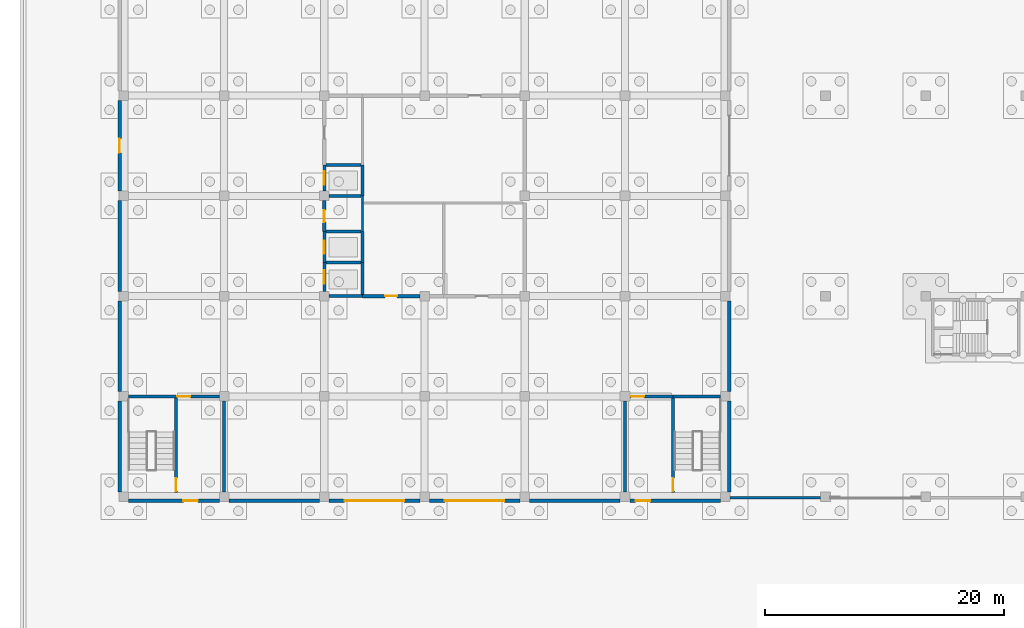
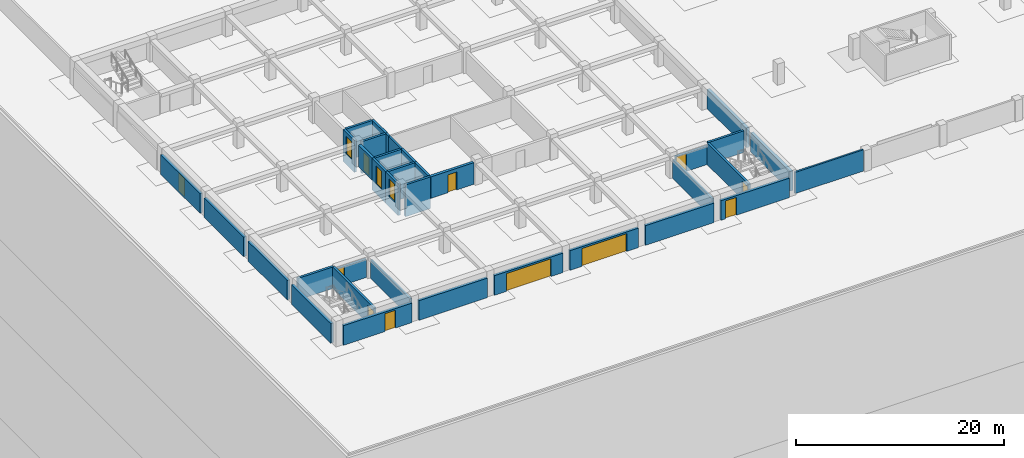
# One storey, part 34 of 67: 36 walls, 14 doors, 14 openings.
"""IFC4 building model written with IfcOpenShell, lengths in metres."""

from ifc_helpers import new_model, si_unit, direction, frame, frame_2d, origin, place, context, subcontext, project, spatial, rectangle, extrude, material, layer, layer_set, type_object, element, fill, save


model = new_model("IFC4")

# Units and contexts
model_context = context("Model", 3, precision=1e-05, world=origin(), true_north=direction((0.0, 1.0)))
body_context = subcontext(model_context, "Body", "Model", "MODEL_VIEW")
ifc_project = project(units=[si_unit("LENGTHUNIT", "METRE"), si_unit("AREAUNIT", "SQUARE_METRE"), si_unit("VOLUMEUNIT", "CUBIC_METRE"), si_unit("PLANEANGLEUNIT", "RADIAN"), si_unit("MASSUNIT", "GRAM", prefix="KILO")], contexts=[model_context])

# Site, building, storey
site_placement = place(None, origin())
site = spatial("IfcSite", under=ifc_project, at=site_placement, CompositionType="ELEMENT")
building_placement = place(site_placement, origin())
building = spatial("IfcBuilding", under=site, at=building_placement, Name="Rain Tree Exposition and Congress Centre", CompositionType="ELEMENT")
storey_placement = place(building_placement, frame((0.0, 0.0, -3.0)))
storey = spatial("IfcBuildingStorey", under=building, at=storey_placement, Name="B1", CompositionType="ELEMENT", Elevation=-3.0)

# Wall
ifc_material_1 = material(Name="Precast concrete C40/50", Category="concrete")
ifc_layer_1 = layer(ifc_material_1, 0.199951171875)
ifc_layer_set_1 = layer_set([ifc_layer_1], Name="Precast concrete C40/50")
wall_type_1 = type_object("IfcWallType", Name="Louvred precast panel 200", PredefinedType="SOLIDWALL", material=ifc_layer_set_1)
wall_1_placement = place(storey_placement, frame((50.800048828125, -0.10009765625, 0.0), z_axis=(0.0, 0.0, 1.0), x_axis=(1.0, 0.0, 0.0)))
element("IfcWall", 1, at=wall_1_placement, inside=storey, type_object=wall_type_1, Name="Car park louvre panel 1", PredefinedType="SOLIDWALL", context=body_context, shape_type="SweptSolid", body=[
    extrude(rectangle(XDim=7.599853515625, YDim=0.199951171875, at=frame_2d((3.7998046875, 0.0))), origin(), (0.0, 0.0, 1.0), 2.5),
])

# Wall, opening, door
ifc_material_2 = material(Name="Concrete C40/50", Category="concrete")
ifc_layer_2 = layer(ifc_material_2, 0.300048828125)
ifc_layer_set_2 = layer_set([ifc_layer_2], Name="Concrete C40/50")
wall_type_2 = type_object("IfcWallType", Name="Wing core wall 300", PredefinedType="SHEAR", material=ifc_layer_set_2)
wall_2_placement = place(storey_placement, frame((20.0, 16.800048828125, 0.0), z_axis=(0.0, 0.0, 1.0), x_axis=(1.0, 0.0, 0.0)))
wall_2 = element("IfcWall", 2, at=wall_2_placement, inside=storey, type_object=wall_type_2, Name="wing/wall/B1/006", PredefinedType="SHEAR", context=body_context, shape_type="SweptSolid", body=[
    extrude(rectangle(XDim=4.800048828125, YDim=0.300048828125, at=frame_2d((2.39990234375, 0.0))), origin(), (0.0, 0.0, 1.0), 2.5400390625),
])
opening_1_placement = place(wall_2_placement, frame((1.89990234375, 0.0, 0.0)))
opening_1 = element("IfcOpeningElement", 3, at=opening_1_placement, cuts=wall_2, Name="Opening DW014", PredefinedType="OPENING", context=body_context, shape_type="SweptSolid", body=[
    extrude(rectangle(XDim=1.0, YDim=2.10009765625, at=frame_2d((0.5, 1.050048828125))), frame((0.0, 0.14990234375, 0.0), z_axis=(0.0, -1.0, 0.0), x_axis=(1.0, 0.0, 0.0)), (0.0, 0.0, 1.0), 0.300048828125),
])
ifc_material_3 = material(Name="Timber door leaf", Category="wood")
door_type_1 = type_object("IfcDoorType", Name="Wing door FD60 1000x2100", OperationType="NOTDEFINED", PredefinedType="DOOR", material=ifc_material_3)
door_1_placement = place(opening_1_placement, origin())
door_1 = element("IfcDoor", 4, at=door_1_placement, inside=storey, type_object=door_type_1, Name="Door DW014", OperationType="SINGLE_SWING_LEFT", OverallHeight=2.10009765625, OverallWidth=1.0, PredefinedType="DOOR", context=body_context, shape_type="SweptSolid", body=[
    extrude(rectangle(XDim=1.0, YDim=2.10009765625, at=frame_2d((0.5, 1.050048828125))), frame((0.0, 0.02490234375, 0.0), z_axis=(0.0, -1.0, 0.0), x_axis=(1.0, 0.0, 0.0)), (0.0, 0.0, 1.0), 0.050048828125),
])
fill(opening_1, door_1)

wall_3_placement = place(storey_placement, frame((16.800048828125, 22.199951171875, 0.0), z_axis=(0.0, 0.0, 1.0), x_axis=(0.0, 1.0, 0.0)))
wall_3 = element("IfcWall", 5, at=wall_3_placement, inside=storey, type_object=wall_type_2, Name="wing/wall/B1/028", PredefinedType="SHEAR", context=body_context, shape_type="SweptSolid", body=[
    extrude(rectangle(XDim=2.60009765625, YDim=0.300048828125, at=frame_2d((1.300048828125, 0.0))), origin(), (0.0, 0.0, 1.0), 2.5400390625),
])
opening_2_placement = place(wall_3_placement, frame((0.800048828125, 0.0, 0.0)))
opening_2 = element("IfcOpeningElement", 6, at=opening_2_placement, cuts=wall_3, Name="Opening DW011", PredefinedType="OPENING", context=body_context, shape_type="SweptSolid", body=[
    extrude(rectangle(XDim=1.0, YDim=2.10009765625, at=frame_2d((0.5, 1.050048828125))), frame((0.0, 0.14990234375, 0.0), z_axis=(0.0, -1.0, 0.0), x_axis=(1.0, 0.0, 0.0)), (0.0, 0.0, 1.0), 0.300048828125),
])
ifc_material_4 = material(Name="Timber door leaf", Category="wood")
door_type_2 = type_object("IfcDoorType", Name="Wing riser access door FD60 1000x2100", OperationType="NOTDEFINED", PredefinedType="DOOR", material=ifc_material_4)
door_2_placement = place(opening_2_placement, origin())
door_2 = element("IfcDoor", 7, at=door_2_placement, inside=storey, type_object=door_type_2, Name="Riser access door DW011", OperationType="SINGLE_SWING_LEFT", OverallHeight=2.10009765625, OverallWidth=1.0, PredefinedType="DOOR", context=body_context, shape_type="SweptSolid", body=[
    extrude(rectangle(XDim=1.0, YDim=2.10009765625, at=frame_2d((0.5, 1.050048828125))), frame((0.0, 0.02490234375, 0.0), z_axis=(0.0, -1.0, 0.0), x_axis=(1.0, 0.0, 0.0)), (0.0, 0.0, 1.0), 0.050048828125),
])
fill(opening_2, door_2)

ifc_material_5 = material(Name="Insulated cavity wall")
ifc_layer_3 = layer(ifc_material_5, 0.300048828125)
ifc_layer_set_3 = layer_set([ifc_layer_3], Name="Insulated cavity wall")
wall_type_3 = type_object("IfcWallType", Name="Wing external wall 300", PredefinedType="SOLIDWALL", material=ifc_layer_set_3)
wall_4_placement = place(storey_placement, frame((0.39990234375, -0.35009765625, 0.0), z_axis=(0.0, 0.0, 1.0), x_axis=(1.0, 0.0, 0.0)))
wall_4 = element("IfcWall", 8, at=wall_4_placement, inside=storey, type_object=wall_type_3, Name="wing/facade/B1/S0", PredefinedType="SOLIDWALL", context=body_context, shape_type="SweptSolid", body=[
    extrude(rectangle(XDim=7.60009765625, YDim=0.300048828125, at=frame_2d((3.800048828125, 0.0))), origin(), (0.0, 0.0, 1.0), 2.300048828125),
])
opening_3_placement = place(wall_4_placement, frame((4.60009765625, 0.0, 0.0)))
opening_3 = element("IfcOpeningElement", 9, at=opening_3_placement, cuts=wall_4, Name="Opening DW051", PredefinedType="OPENING", context=body_context, shape_type="SweptSolid", body=[
    extrude(rectangle(XDim=1.199951171875, YDim=2.10009765625, at=frame_2d((0.60009765625, 1.050048828125))), frame((0.0, 0.14990234375, 0.0), z_axis=(0.0, -1.0, 0.0), x_axis=(1.0, 0.0, 0.0)), (0.0, 0.0, 1.0), 0.300048828125),
])
ifc_material_6 = material(Name="Steel door leaf", Category="steel")
door_type_3 = type_object("IfcDoorType", Name="Wing exit door 1200x2100", OperationType="NOTDEFINED", PredefinedType="DOOR", material=ifc_material_6)
door_3_placement = place(opening_3_placement, origin())
door_3 = element("IfcDoor", 10, at=door_3_placement, inside=storey, type_object=door_type_3, Name="Door DW051", OperationType="SINGLE_SWING_LEFT", OverallHeight=2.10009765625, OverallWidth=1.199951171875, PredefinedType="DOOR", context=body_context, shape_type="SweptSolid", body=[
    extrude(rectangle(XDim=1.199951171875, YDim=2.10009765625, at=frame_2d((0.60009765625, 1.050048828125))), frame((0.0, 0.02490234375, 0.0), z_axis=(0.0, -1.0, 0.0), x_axis=(1.0, 0.0, 0.0)), (0.0, 0.0, 1.0), 0.050048828125),
])
fill(opening_3, door_3)

# Wall
wall_5_placement = place(storey_placement, frame((8.800048828125, -0.35009765625, 0.0), z_axis=(0.0, 0.0, 1.0), x_axis=(1.0, 0.0, 0.0)))
element("IfcWall", 11, at=wall_5_placement, inside=storey, type_object=wall_type_3, Name="wing/facade/B1/S1", PredefinedType="SOLIDWALL", context=body_context, shape_type="SweptSolid", body=[
    extrude(rectangle(XDim=7.599853515625, YDim=0.300048828125, at=frame_2d((3.7998046875, 0.0))), origin(), (0.0, 0.0, 1.0), 2.300048828125),
])

# Wall, opening, door
wall_6_placement = place(storey_placement, frame((17.199951171875, -0.35009765625, 0.0), z_axis=(0.0, 0.0, 1.0), x_axis=(1.0, 0.0, 0.0)))
wall_6 = element("IfcWall", 12, at=wall_6_placement, inside=storey, type_object=wall_type_3, Name="wing/facade/B1/S2", PredefinedType="SOLIDWALL", context=body_context, shape_type="SweptSolid", body=[
    extrude(rectangle(XDim=7.60009765625, YDim=0.300048828125, at=frame_2d((3.800048828125, 0.0))), origin(), (0.0, 0.0, 1.0), 2.300048828125),
])
opening_4_placement = place(wall_6_placement, frame((1.300048828125, 0.0, 0.0)))
opening_4 = element("IfcOpeningElement", 13, at=opening_4_placement, cuts=wall_6, Name="Opening DW052", PredefinedType="OPENING", context=body_context, shape_type="SweptSolid", body=[
    extrude(rectangle(XDim=5.0, YDim=2.10009765625, at=frame_2d((2.5, 1.050048828125))), frame((0.0, 0.14990234375, 0.0), z_axis=(0.0, -1.0, 0.0), x_axis=(1.0, 0.0, 0.0)), (0.0, 0.0, 1.0), 0.300048828125),
])
ifc_material_7 = material(Name="Steel roller shutter", Category="steel")
door_type_4 = type_object("IfcDoorType", Name="Wing roller shutter 5000x2100", OperationType="ROLLINGUP", PredefinedType="DOOR", material=ifc_material_7)
door_4_placement = place(opening_4_placement, origin())
door_4 = element("IfcDoor", 14, at=door_4_placement, inside=storey, type_object=door_type_4, Name="Door DW052", OperationType="ROLLINGUP", OverallHeight=2.10009765625, OverallWidth=5.0, PredefinedType="DOOR", context=body_context, shape_type="SweptSolid", body=[
    extrude(rectangle(XDim=5.0, YDim=2.10009765625, at=frame_2d((2.5, 1.050048828125))), frame((0.0, 0.02490234375, 0.0), z_axis=(0.0, -1.0, 0.0), x_axis=(1.0, 0.0, 0.0)), (0.0, 0.0, 1.0), 0.050048828125),
])
fill(opening_4, door_4)

wall_7_placement = place(storey_placement, frame((25.60009765625, -0.35009765625, 0.0), z_axis=(0.0, 0.0, 1.0), x_axis=(1.0, 0.0, 0.0)))
wall_7 = element("IfcWall", 15, at=wall_7_placement, inside=storey, type_object=wall_type_3, Name="wing/facade/B1/S3", PredefinedType="SOLIDWALL", context=body_context, shape_type="SweptSolid", body=[
    extrude(rectangle(XDim=7.599853515625, YDim=0.300048828125, at=frame_2d((3.7998046875, 0.0))), origin(), (0.0, 0.0, 1.0), 2.300048828125),
])
opening_5_placement = place(wall_7_placement, frame((1.300048828125, 0.0, 0.0)))
opening_5 = element("IfcOpeningElement", 16, at=opening_5_placement, cuts=wall_7, Name="Opening DW053", PredefinedType="OPENING", context=body_context, shape_type="SweptSolid", body=[
    extrude(rectangle(XDim=5.0, YDim=2.10009765625, at=frame_2d((2.5, 1.050048828125))), frame((0.0, 0.14990234375, 0.0), z_axis=(0.0, -1.0, 0.0), x_axis=(1.0, 0.0, 0.0)), (0.0, 0.0, 1.0), 0.300048828125),
])
door_5_placement = place(opening_5_placement, origin())
door_5 = element("IfcDoor", 17, at=door_5_placement, inside=storey, type_object=door_type_4, Name="Door DW053", OperationType="ROLLINGUP", OverallHeight=2.10009765625, OverallWidth=5.0, PredefinedType="DOOR", context=body_context, shape_type="SweptSolid", body=[
    extrude(rectangle(XDim=5.0, YDim=2.10009765625, at=frame_2d((2.5, 1.050048828125))), frame((0.0, 0.02490234375, 0.0), z_axis=(0.0, -1.0, 0.0), x_axis=(1.0, 0.0, 0.0)), (0.0, 0.0, 1.0), 0.050048828125),
])
fill(opening_5, door_5)

# Wall
wall_8_placement = place(storey_placement, frame((34.0, -0.35009765625, 0.0), z_axis=(0.0, 0.0, 1.0), x_axis=(1.0, 0.0, 0.0)))
element("IfcWall", 18, at=wall_8_placement, inside=storey, type_object=wall_type_3, Name="wing/facade/B1/S4", PredefinedType="SOLIDWALL", context=body_context, shape_type="SweptSolid", body=[
    extrude(rectangle(XDim=7.60009765625, YDim=0.300048828125, at=frame_2d((3.800048828125, 0.0))), origin(), (0.0, 0.0, 1.0), 2.300048828125),
])

# Wall, opening, door
wall_9_placement = place(storey_placement, frame((42.39990234375, -0.35009765625, 0.0), z_axis=(0.0, 0.0, 1.0), x_axis=(1.0, 0.0, 0.0)))
wall_9 = element("IfcWall", 19, at=wall_9_placement, inside=storey, type_object=wall_type_3, Name="wing/facade/B1/S5", PredefinedType="SOLIDWALL", context=body_context, shape_type="SweptSolid", body=[
    extrude(rectangle(XDim=7.60009765625, YDim=0.300048828125, at=frame_2d((3.800048828125, 0.0))), origin(), (0.0, 0.0, 1.0), 2.300048828125),
])
opening_6_placement = place(wall_9_placement, frame((0.5, 0.0, 0.0)))
opening_6 = element("IfcOpeningElement", 20, at=opening_6_placement, cuts=wall_9, Name="Opening DW054", PredefinedType="OPENING", context=body_context, shape_type="SweptSolid", body=[
    extrude(rectangle(XDim=1.199951171875, YDim=2.10009765625, at=frame_2d((0.60009765625, 1.050048828125))), frame((0.0, 0.14990234375, 0.0), z_axis=(0.0, -1.0, 0.0), x_axis=(1.0, 0.0, 0.0)), (0.0, 0.0, 1.0), 0.300048828125),
])
door_6_placement = place(opening_6_placement, origin())
door_6 = element("IfcDoor", 21, at=door_6_placement, inside=storey, type_object=door_type_3, Name="Door DW054", OperationType="SINGLE_SWING_LEFT", OverallHeight=2.10009765625, OverallWidth=1.199951171875, PredefinedType="DOOR", context=body_context, shape_type="SweptSolid", body=[
    extrude(rectangle(XDim=1.199951171875, YDim=2.10009765625, at=frame_2d((0.60009765625, 1.050048828125))), frame((0.0, 0.02490234375, 0.0), z_axis=(0.0, -1.0, 0.0), x_axis=(1.0, 0.0, 0.0)), (0.0, 0.0, 1.0), 0.050048828125),
])
fill(opening_6, door_6)

# Walls
wall_10_placement = place(storey_placement, frame((-0.35009765625, 0.39990234375, 0.0), z_axis=(0.0, 0.0, 1.0), x_axis=(0.0, 1.0, 0.0)))
element("IfcWall", 22, at=wall_10_placement, inside=storey, type_object=wall_type_3, Name="wing/facade/B1/W0", PredefinedType="SOLIDWALL", context=body_context, shape_type="SweptSolid", body=[
    extrude(rectangle(XDim=7.60009765625, YDim=0.300048828125, at=frame_2d((3.800048828125, 0.0))), origin(), (0.0, 0.0, 1.0), 2.300048828125),
])
wall_11_placement = place(storey_placement, frame((-0.35009765625, 8.800048828125, 0.0), z_axis=(0.0, 0.0, 1.0), x_axis=(0.0, 1.0, 0.0)))
element("IfcWall", 23, at=wall_11_placement, inside=storey, type_object=wall_type_3, Name="wing/facade/B1/W1", PredefinedType="SOLIDWALL", context=body_context, shape_type="SweptSolid", body=[
    extrude(rectangle(XDim=7.599853515625, YDim=0.300048828125, at=frame_2d((3.7998046875, 0.0))), origin(), (0.0, 0.0, 1.0), 2.300048828125),
])
wall_12_placement = place(storey_placement, frame((-0.35009765625, 17.199951171875, 0.0), z_axis=(0.0, 0.0, 1.0), x_axis=(0.0, 1.0, 0.0)))
element("IfcWall", 24, at=wall_12_placement, inside=storey, type_object=wall_type_3, Name="wing/facade/B1/W2", PredefinedType="SOLIDWALL", context=body_context, shape_type="SweptSolid", body=[
    extrude(rectangle(XDim=7.60009765625, YDim=0.300048828125, at=frame_2d((3.800048828125, 0.0))), origin(), (0.0, 0.0, 1.0), 2.300048828125),
])

# Wall, opening, door
wall_13_placement = place(storey_placement, frame((-0.35009765625, 25.60009765625, 0.0), z_axis=(0.0, 0.0, 1.0), x_axis=(0.0, 1.0, 0.0)))
wall_13 = element("IfcWall", 25, at=wall_13_placement, inside=storey, type_object=wall_type_3, Name="wing/facade/B1/W3", PredefinedType="SOLIDWALL", context=body_context, shape_type="SweptSolid", body=[
    extrude(rectangle(XDim=7.599853515625, YDim=0.300048828125, at=frame_2d((3.7998046875, 0.0))), origin(), (0.0, 0.0, 1.0), 2.300048828125),
])
opening_7_placement = place(wall_13_placement, frame((3.199951171875, 0.0, 0.0)))
opening_7 = element("IfcOpeningElement", 26, at=opening_7_placement, cuts=wall_13, Name="Opening DW055", PredefinedType="OPENING", context=body_context, shape_type="SweptSolid", body=[
    extrude(rectangle(XDim=1.199951171875, YDim=2.10009765625, at=frame_2d((0.60009765625, 1.050048828125))), frame((0.0, 0.14990234375, 0.0), z_axis=(0.0, -1.0, 0.0), x_axis=(1.0, 0.0, 0.0)), (0.0, 0.0, 1.0), 0.300048828125),
])
door_7_placement = place(opening_7_placement, origin())
door_7 = element("IfcDoor", 27, at=door_7_placement, inside=storey, type_object=door_type_3, Name="Door DW055", OperationType="SINGLE_SWING_LEFT", OverallHeight=2.10009765625, OverallWidth=1.199951171875, PredefinedType="DOOR", context=body_context, shape_type="SweptSolid", body=[
    extrude(rectangle(XDim=1.199951171875, YDim=2.10009765625, at=frame_2d((0.60009765625, 1.050048828125))), frame((0.0, 0.02490234375, 0.0), z_axis=(0.0, -1.0, 0.0), x_axis=(1.0, 0.0, 0.0)), (0.0, 0.0, 1.0), 0.050048828125),
])
fill(opening_7, door_7)

# Walls
wall_14_placement = place(storey_placement, frame((50.75, 0.39990234375, 0.0), z_axis=(0.0, 0.0, 1.0), x_axis=(0.0, 1.0, 0.0)))
element("IfcWall", 28, at=wall_14_placement, inside=storey, type_object=wall_type_3, Name="wing/facade/B1/E0", PredefinedType="SOLIDWALL", context=body_context, shape_type="SweptSolid", body=[
    extrude(rectangle(XDim=7.60009765625, YDim=0.300048828125, at=frame_2d((3.800048828125, 0.0))), origin(), (0.0, 0.0, 1.0), 2.300048828125),
])
wall_15_placement = place(storey_placement, frame((50.75, 8.800048828125, 0.0), z_axis=(0.0, 0.0, 1.0), x_axis=(0.0, 1.0, 0.0)))
element("IfcWall", 29, at=wall_15_placement, inside=storey, type_object=wall_type_3, Name="wing/facade/B1/E1", PredefinedType="SOLIDWALL", context=body_context, shape_type="SweptSolid", body=[
    extrude(rectangle(XDim=7.599853515625, YDim=0.300048828125, at=frame_2d((3.7998046875, 0.0))), origin(), (0.0, 0.0, 1.0), 2.300048828125),
])
ifc_material_8 = material(Name="Concrete C40/50", Category="concrete")
ifc_layer_4 = layer(ifc_material_8, 0.25)
ifc_layer_set_4 = layer_set([ifc_layer_4], Name="Concrete C40/50")
wall_type_4 = type_object("IfcWallType", Name="Wing lift shaft wall 250", PredefinedType="SHEAR", material=ifc_layer_set_4)
wall_16_placement = place(storey_placement, frame((17.199951171875, 16.800048828125, -1.199951171875), z_axis=(0.0, 0.0, 1.0), x_axis=(1.0, 0.0, 0.0)))
element("IfcWall", 30, at=wall_16_placement, inside=storey, type_object=wall_type_4, Name="wing/wall/B1/005", PredefinedType="SHEAR", context=body_context, shape_type="SweptSolid", body=[
    extrude(rectangle(XDim=2.800048828125, YDim=0.25, at=frame_2d((1.39990234375, 0.0))), origin(), (0.0, 0.0, 1.0), 3.739990234375),
])
wall_17_placement = place(storey_placement, frame((16.925048828125, 19.60009765625, -1.199951171875), z_axis=(0.0, 0.0, 1.0), x_axis=(1.0, 0.0, 0.0)))
element("IfcWall", 31, at=wall_17_placement, inside=storey, type_object=wall_type_4, Name="wing/wall/B1/009", PredefinedType="SHEAR", context=body_context, shape_type="SweptSolid", body=[
    extrude(rectangle(XDim=2.949951171875, YDim=0.25, at=frame_2d((1.47509765625, 0.0))), origin(), (0.0, 0.0, 1.0), 3.739990234375),
])
wall_18_placement = place(storey_placement, frame((16.949951171875, 22.199951171875, -1.199951171875), z_axis=(0.0, 0.0, 1.0), x_axis=(1.0, 0.0, 0.0)))
element("IfcWall", 32, at=wall_18_placement, inside=storey, type_object=wall_type_4, Name="wing/wall/B1/010", PredefinedType="SHEAR", context=body_context, shape_type="SweptSolid", body=[
    extrude(rectangle(XDim=2.925048828125, YDim=0.25, at=frame_2d((1.46240234375, 0.0))), origin(), (0.0, 0.0, 1.0), 3.739990234375),
])
wall_19_placement = place(storey_placement, frame((17.199951171875, 25.199951171875, -1.199951171875), z_axis=(0.0, 0.0, 1.0), x_axis=(1.0, 0.0, 0.0)))
element("IfcWall", 33, at=wall_19_placement, inside=storey, type_object=wall_type_4, Name="wing/wall/B1/013", PredefinedType="SHEAR", context=body_context, shape_type="SweptSolid", body=[
    extrude(rectangle(XDim=2.675048828125, YDim=0.25, at=frame_2d((1.33740234375, 0.0))), origin(), (0.0, 0.0, 1.0), 3.739990234375),
])
wall_20_placement = place(storey_placement, frame((16.949951171875, 27.800048828125, -1.199951171875), z_axis=(0.0, 0.0, 1.0), x_axis=(1.0, 0.0, 0.0)))
element("IfcWall", 34, at=wall_20_placement, inside=storey, type_object=wall_type_4, Name="wing/wall/B1/014", PredefinedType="SHEAR", context=body_context, shape_type="SweptSolid", body=[
    extrude(rectangle(XDim=2.925048828125, YDim=0.25, at=frame_2d((1.46240234375, 0.0))), origin(), (0.0, 0.0, 1.0), 3.739990234375),
])

# Wall, opening, door
wall_21_placement = place(storey_placement, frame((16.800048828125, 17.199951171875, -1.199951171875), z_axis=(0.0, 0.0, 1.0), x_axis=(0.0, 1.0, 0.0)))
wall_21 = element("IfcWall", 35, at=wall_21_placement, inside=storey, type_object=wall_type_4, Name="wing/wall/B1/026", PredefinedType="SHEAR", context=body_context, shape_type="SweptSolid", body=[
    extrude(rectangle(XDim=2.400146484375, YDim=0.25, at=frame_2d((1.2001953125, 0.0))), origin(), (0.0, 0.0, 1.0), 3.739990234375),
])
opening_8_placement = place(wall_21_placement, frame((0.64990234375, 0.0, 1.199951171875)))
opening_8 = element("IfcOpeningElement", 36, at=opening_8_placement, cuts=wall_21, Name="Opening DW009", PredefinedType="OPENING", context=body_context, shape_type="SweptSolid", body=[
    extrude(rectangle(XDim=1.10009765625, YDim=2.10009765625, at=frame_2d((0.550048828125, 1.050048828125))), frame((0.0, 0.125, 0.0), z_axis=(0.0, -1.0, 0.0), x_axis=(1.0, 0.0, 0.0)), (0.0, 0.0, 1.0), 0.25),
])
ifc_material_9 = material(Name="Stainless steel", Category="steel")
door_type_5 = type_object("IfcDoorType", Name="Lift landing door 1100x2100", OperationType="DOUBLE_DOOR_SLIDING", PredefinedType="DOOR", material=ifc_material_9)
door_8_placement = place(opening_8_placement, origin())
door_8 = element("IfcDoor", 37, at=door_8_placement, inside=storey, type_object=door_type_5, Name="Landing door DW009", OperationType="DOUBLE_DOOR_SLIDING", OverallHeight=2.10009765625, OverallWidth=1.10009765625, PredefinedType="DOOR", context=body_context, shape_type="SweptSolid", body=[
    extrude(rectangle(XDim=1.10009765625, YDim=2.10009765625, at=frame_2d((0.550048828125, 1.050048828125))), frame((0.0, 0.02490234375, 0.0), z_axis=(0.0, -1.0, 0.0), x_axis=(1.0, 0.0, 0.0)), (0.0, 0.0, 1.0), 0.050048828125),
])
fill(opening_8, door_8)

wall_22_placement = place(storey_placement, frame((16.800048828125, 19.60009765625, -1.199951171875), z_axis=(0.0, 0.0, 1.0), x_axis=(0.0, 1.0, 0.0)))
wall_22 = element("IfcWall", 38, at=wall_22_placement, inside=storey, type_object=wall_type_4, Name="wing/wall/B1/027", PredefinedType="SHEAR", context=body_context, shape_type="SweptSolid", body=[
    extrude(rectangle(XDim=2.599853515625, YDim=0.25, at=frame_2d((1.2998046875, 0.0))), origin(), (0.0, 0.0, 1.0), 3.739990234375),
])
opening_9_placement = place(wall_22_placement, frame((0.75, 0.0, 1.199951171875)))
opening_9 = element("IfcOpeningElement", 39, at=opening_9_placement, cuts=wall_22, Name="Opening DW010", PredefinedType="OPENING", context=body_context, shape_type="SweptSolid", body=[
    extrude(rectangle(XDim=1.10009765625, YDim=2.10009765625, at=frame_2d((0.550048828125, 1.050048828125))), frame((0.0, 0.125, 0.0), z_axis=(0.0, -1.0, 0.0), x_axis=(1.0, 0.0, 0.0)), (0.0, 0.0, 1.0), 0.25),
])
door_9_placement = place(opening_9_placement, origin())
door_9 = element("IfcDoor", 40, at=door_9_placement, inside=storey, type_object=door_type_5, Name="Landing door DW010", OperationType="DOUBLE_DOOR_SLIDING", OverallHeight=2.10009765625, OverallWidth=1.10009765625, PredefinedType="DOOR", context=body_context, shape_type="SweptSolid", body=[
    extrude(rectangle(XDim=1.10009765625, YDim=2.10009765625, at=frame_2d((0.550048828125, 1.050048828125))), frame((0.0, 0.02490234375, 0.0), z_axis=(0.0, -1.0, 0.0), x_axis=(1.0, 0.0, 0.0)), (0.0, 0.0, 1.0), 0.050048828125),
])
fill(opening_9, door_9)

wall_23_placement = place(storey_placement, frame((16.800048828125, 25.60009765625, -1.199951171875), z_axis=(0.0, 0.0, 1.0), x_axis=(0.0, 1.0, 0.0)))
wall_23 = element("IfcWall", 41, at=wall_23_placement, inside=storey, type_object=wall_type_4, Name="wing/wall/B1/029", PredefinedType="SHEAR", context=body_context, shape_type="SweptSolid", body=[
    extrude(rectangle(XDim=2.199951171875, YDim=0.25, at=frame_2d((1.10009765625, 0.0))), origin(), (0.0, 0.0, 1.0), 3.739990234375),
])
opening_10_placement = place(wall_23_placement, frame((0.550048828125, 0.0, 1.199951171875)))
opening_10 = element("IfcOpeningElement", 42, at=opening_10_placement, cuts=wall_23, Name="Opening DW012", PredefinedType="OPENING", context=body_context, shape_type="SweptSolid", body=[
    extrude(rectangle(XDim=1.10009765625, YDim=2.10009765625, at=frame_2d((0.550048828125, 1.050048828125))), frame((0.0, 0.125, 0.0), z_axis=(0.0, -1.0, 0.0), x_axis=(1.0, 0.0, 0.0)), (0.0, 0.0, 1.0), 0.25),
])
door_10_placement = place(opening_10_placement, origin())
door_10 = element("IfcDoor", 43, at=door_10_placement, inside=storey, type_object=door_type_5, Name="Landing door DW012", OperationType="DOUBLE_DOOR_SLIDING", OverallHeight=2.10009765625, OverallWidth=1.10009765625, PredefinedType="DOOR", context=body_context, shape_type="SweptSolid", body=[
    extrude(rectangle(XDim=1.10009765625, YDim=2.10009765625, at=frame_2d((0.550048828125, 1.050048828125))), frame((0.0, 0.02490234375, 0.0), z_axis=(0.0, -1.0, 0.0), x_axis=(1.0, 0.0, 0.0)), (0.0, 0.0, 1.0), 0.050048828125),
])
fill(opening_10, door_10)

# Walls
wall_24_placement = place(storey_placement, frame((20.0, 16.949951171875, -1.199951171875), z_axis=(0.0, 0.0, 1.0), x_axis=(0.0, 1.0, 0.0)))
element("IfcWall", 44, at=wall_24_placement, inside=storey, type_object=wall_type_4, Name="wing/wall/B1/031", PredefinedType="SHEAR", context=body_context, shape_type="SweptSolid", body=[
    extrude(rectangle(XDim=2.650146484375, YDim=0.25, at=frame_2d((1.3251953125, 0.0))), origin(), (0.0, 0.0, 1.0), 3.739990234375),
])
wall_25_placement = place(storey_placement, frame((20.0, 19.60009765625, -1.199951171875), z_axis=(0.0, 0.0, 1.0), x_axis=(0.0, 1.0, 0.0)))
element("IfcWall", 45, at=wall_25_placement, inside=storey, type_object=wall_type_4, Name="wing/wall/B1/032", PredefinedType="SHEAR", context=body_context, shape_type="SweptSolid", body=[
    extrude(rectangle(XDim=2.599853515625, YDim=0.25, at=frame_2d((1.2998046875, 0.0))), origin(), (0.0, 0.0, 1.0), 3.739990234375),
])
wall_26_placement = place(storey_placement, frame((20.0, 25.199951171875, -1.199951171875), z_axis=(0.0, 0.0, 1.0), x_axis=(0.0, 1.0, 0.0)))
element("IfcWall", 46, at=wall_26_placement, inside=storey, type_object=wall_type_4, Name="wing/wall/B1/035", PredefinedType="SHEAR", context=body_context, shape_type="SweptSolid", body=[
    extrude(rectangle(XDim=2.60009765625, YDim=0.25, at=frame_2d((1.300048828125, 0.0))), origin(), (0.0, 0.0, 1.0), 3.739990234375),
])
ifc_material_10 = material(Name="Dense blockwork", Category="masonry")
ifc_layer_5 = layer(ifc_material_10, 0.199951171875)
ifc_layer_set_5 = layer_set([ifc_layer_5], Name="Dense blockwork")
wall_type_5 = type_object("IfcWallType", Name="Wing plant room wall 200", PredefinedType="SOLIDWALL", material=ifc_layer_set_5)
wall_27_placement = place(storey_placement, frame((20.0, 24.60009765625, 0.0), z_axis=(0.0, 0.0, 1.0), x_axis=(0.0, 1.0, 0.0)))
element("IfcWall", 47, at=wall_27_placement, inside=storey, type_object=wall_type_5, Name="wing/wall/B1/034", PredefinedType="SOLIDWALL", context=body_context, shape_type="SweptSolid", body=[
    extrude(rectangle(XDim=0.599853515625, YDim=0.199951171875, at=frame_2d((0.2998046875, 0.0))), origin(), (0.0, 0.0, 1.0), 2.5400390625),
])
ifc_material_11 = material(Name="Dense blockwork", Category="masonry")
ifc_layer_6 = layer(ifc_material_11, 0.199951171875)
ifc_layer_set_6 = layer_set([ifc_layer_6], Name="Dense blockwork")
wall_type_6 = type_object("IfcWallType", Name="Wing riser wall 200", PredefinedType="SOLIDWALL", material=ifc_layer_set_6)
wall_28_placement = place(storey_placement, frame((20.0, 22.199951171875, 0.0), z_axis=(0.0, 0.0, 1.0), x_axis=(0.0, 1.0, 0.0)))
element("IfcWall", 48, at=wall_28_placement, inside=storey, type_object=wall_type_6, Name="wing/wall/B1/033", PredefinedType="SOLIDWALL", context=body_context, shape_type="SweptSolid", body=[
    extrude(rectangle(XDim=2.400146484375, YDim=0.199951171875, at=frame_2d((1.2001953125, 0.0))), origin(), (0.0, 0.0, 1.0), 2.5400390625),
])
ifc_material_12 = material(Name="Concrete C40/50", Category="concrete")
ifc_layer_7 = layer(ifc_material_12, 0.25)
ifc_layer_set_7 = layer_set([ifc_layer_7], Name="Concrete C40/50")
wall_type_7 = type_object("IfcWallType", Name="Wing stair wall 250", PredefinedType="SHEAR", material=ifc_layer_set_7)
wall_29_placement = place(storey_placement, frame((0.39990234375, 8.39990234375, 0.0), z_axis=(0.0, 0.0, 1.0), x_axis=(1.0, 0.0, 0.0)))
element("IfcWall", 49, at=wall_29_placement, inside=storey, type_object=wall_type_7, Name="wing/wall/B1/001", PredefinedType="SHEAR", context=body_context, shape_type="SweptSolid", body=[
    extrude(rectangle(XDim=3.97509765625, YDim=0.25, at=frame_2d((1.987548828125, 0.0))), origin(), (0.0, 0.0, 1.0), 2.5400390625),
])

# Wall, opening, door
wall_30_placement = place(storey_placement, frame((4.375, 8.39990234375, 0.0), z_axis=(0.0, 0.0, 1.0), x_axis=(1.0, 0.0, 0.0)))
wall_30 = element("IfcWall", 50, at=wall_30_placement, inside=storey, type_object=wall_type_7, Name="wing/wall/B1/002", PredefinedType="SHEAR", context=body_context, shape_type="SweptSolid", body=[
    extrude(rectangle(XDim=3.625, YDim=0.25, at=frame_2d((1.8125, 0.0))), origin(), (0.0, 0.0, 1.0), 2.139892578125),
])
opening_11_placement = place(wall_30_placement, frame((0.10009765625, 0.0, 0.0)))
opening_11 = element("IfcOpeningElement", 51, at=opening_11_placement, cuts=wall_30, Name="Opening DW002", PredefinedType="OPENING", context=body_context, shape_type="SweptSolid", body=[
    extrude(rectangle(XDim=1.10009765625, YDim=2.10009765625, at=frame_2d((0.550048828125, 1.050048828125))), frame((0.0, 0.125, 0.0), z_axis=(0.0, -1.0, 0.0), x_axis=(1.0, 0.0, 0.0)), (0.0, 0.0, 1.0), 0.25),
])
ifc_material_13 = material(Name="Timber door leaf", Category="wood")
door_type_6 = type_object("IfcDoorType", Name="Wing door FD60 1100x2100", OperationType="NOTDEFINED", PredefinedType="DOOR", material=ifc_material_13)
door_11_placement = place(opening_11_placement, origin())
door_11 = element("IfcDoor", 52, at=door_11_placement, inside=storey, type_object=door_type_6, Name="Door DW002", OperationType="SINGLE_SWING_LEFT", OverallHeight=2.10009765625, OverallWidth=1.10009765625, PredefinedType="DOOR", context=body_context, shape_type="SweptSolid", body=[
    extrude(rectangle(XDim=1.10009765625, YDim=2.10009765625, at=frame_2d((0.550048828125, 1.050048828125))), frame((0.0, 0.02490234375, 0.0), z_axis=(0.0, -1.0, 0.0), x_axis=(1.0, 0.0, 0.0)), (0.0, 0.0, 1.0), 0.050048828125),
])
fill(opening_11, door_11)

wall_31_placement = place(storey_placement, frame((42.39990234375, 8.39990234375, 0.0), z_axis=(0.0, 0.0, 1.0), x_axis=(1.0, 0.0, 0.0)))
wall_31 = element("IfcWall", 53, at=wall_31_placement, inside=storey, type_object=wall_type_7, Name="wing/wall/B1/003", PredefinedType="SHEAR", context=body_context, shape_type="SweptSolid", body=[
    extrude(rectangle(XDim=3.625, YDim=0.25, at=frame_2d((1.8125, 0.0))), origin(), (0.0, 0.0, 1.0), 2.139892578125),
])
opening_12_placement = place(wall_31_placement, frame((0.10009765625, 0.0, 0.0)))
opening_12 = element("IfcOpeningElement", 54, at=opening_12_placement, cuts=wall_31, Name="Opening DW004", PredefinedType="OPENING", context=body_context, shape_type="SweptSolid", body=[
    extrude(rectangle(XDim=1.10009765625, YDim=2.10009765625, at=frame_2d((0.550048828125, 1.050048828125))), frame((0.0, 0.125, 0.0), z_axis=(0.0, -1.0, 0.0), x_axis=(1.0, 0.0, 0.0)), (0.0, 0.0, 1.0), 0.25),
])
door_12_placement = place(opening_12_placement, origin())
door_12 = element("IfcDoor", 55, at=door_12_placement, inside=storey, type_object=door_type_6, Name="Door DW004", OperationType="SINGLE_SWING_LEFT", OverallHeight=2.10009765625, OverallWidth=1.10009765625, PredefinedType="DOOR", context=body_context, shape_type="SweptSolid", body=[
    extrude(rectangle(XDim=1.10009765625, YDim=2.10009765625, at=frame_2d((0.550048828125, 1.050048828125))), frame((0.0, 0.02490234375, 0.0), z_axis=(0.0, -1.0, 0.0), x_axis=(1.0, 0.0, 0.0)), (0.0, 0.0, 1.0), 0.050048828125),
])
fill(opening_12, door_12)

# Wall
wall_32_placement = place(storey_placement, frame((46.02490234375, 8.39990234375, 0.0), z_axis=(0.0, 0.0, 1.0), x_axis=(1.0, 0.0, 0.0)))
element("IfcWall", 56, at=wall_32_placement, inside=storey, type_object=wall_type_7, Name="wing/wall/B1/004", PredefinedType="SHEAR", context=body_context, shape_type="SweptSolid", body=[
    extrude(rectangle(XDim=3.97509765625, YDim=0.25, at=frame_2d((1.987548828125, 0.0))), origin(), (0.0, 0.0, 1.0), 2.5400390625),
])

# Wall, opening, door
wall_33_placement = place(storey_placement, frame((4.375, 0.35009765625, 0.0), z_axis=(0.0, 0.0, 1.0), x_axis=(0.0, 1.0, 0.0)))
wall_33 = element("IfcWall", 57, at=wall_33_placement, inside=storey, type_object=wall_type_7, Name="wing/wall/B1/022", PredefinedType="SHEAR", context=body_context, shape_type="SweptSolid", body=[
    extrude(rectangle(XDim=7.9248046875, YDim=0.25, at=frame_2d((3.96240234375, 0.0))), origin(), (0.0, 0.0, 1.0), 2.5400390625),
])
opening_13_placement = place(wall_33_placement, frame((0.10009765625, 0.0, 0.0)))
opening_13 = element("IfcOpeningElement", 58, at=opening_13_placement, cuts=wall_33, Name="Opening DW001", PredefinedType="OPENING", context=body_context, shape_type="SweptSolid", body=[
    extrude(rectangle(XDim=1.10009765625, YDim=2.10009765625, at=frame_2d((0.550048828125, 1.050048828125))), frame((0.0, 0.125, 0.0), z_axis=(0.0, -1.0, 0.0), x_axis=(1.0, 0.0, 0.0)), (0.0, 0.0, 1.0), 0.25),
])
door_13_placement = place(opening_13_placement, origin())
door_13 = element("IfcDoor", 59, at=door_13_placement, inside=storey, type_object=door_type_6, Name="Door DW001", OperationType="SINGLE_SWING_LEFT", OverallHeight=2.10009765625, OverallWidth=1.10009765625, PredefinedType="DOOR", context=body_context, shape_type="SweptSolid", body=[
    extrude(rectangle(XDim=1.10009765625, YDim=2.10009765625, at=frame_2d((0.550048828125, 1.050048828125))), frame((0.0, 0.02490234375, 0.0), z_axis=(0.0, -1.0, 0.0), x_axis=(1.0, 0.0, 0.0)), (0.0, 0.0, 1.0), 0.050048828125),
])
fill(opening_13, door_13)

# Walls
for number, where, z_axis, x_axis, name in (
    (60, (8.39990234375, 0.39990234375, 0.0), (0.0, 0.0, 1.0), (0.0, 1.0, 0.0), "wing/wall/B1/024"),
    (61, (42.0, 0.39990234375, 0.0), (0.0, 0.0, 1.0), (0.0, 1.0, 0.0), "wing/wall/B1/040"),
):
    element("IfcWall", number, at=place(storey_placement, frame(where, z_axis=z_axis, x_axis=x_axis)), inside=storey, type_object=wall_type_7, Name=name, PredefinedType="SHEAR", context=body_context, shape_type="SweptSolid", body=[
        extrude(rectangle(XDim=7.60009765625, YDim=0.25, at=frame_2d((3.800048828125, 0.0))), origin(), (0.0, 0.0, 1.0), 2.139892578125),
    ])

# Wall, opening, door
wall_34_placement = place(storey_placement, frame((46.02490234375, 0.35009765625, 0.0), z_axis=(0.0, 0.0, 1.0), x_axis=(0.0, 1.0, 0.0)))
wall_34 = element("IfcWall", 62, at=wall_34_placement, inside=storey, type_object=wall_type_7, Name="wing/wall/B1/042", PredefinedType="SHEAR", context=body_context, shape_type="SweptSolid", body=[
    extrude(rectangle(XDim=7.9248046875, YDim=0.25, at=frame_2d((3.96240234375, 0.0))), origin(), (0.0, 0.0, 1.0), 2.5400390625),
])
opening_14_placement = place(wall_34_placement, frame((0.10009765625, 0.0, 0.0)))
opening_14 = element("IfcOpeningElement", 63, at=opening_14_placement, cuts=wall_34, Name="Opening DW003", PredefinedType="OPENING", context=body_context, shape_type="SweptSolid", body=[
    extrude(rectangle(XDim=1.10009765625, YDim=2.10009765625, at=frame_2d((0.550048828125, 1.050048828125))), frame((0.0, 0.125, 0.0), z_axis=(0.0, -1.0, 0.0), x_axis=(1.0, 0.0, 0.0)), (0.0, 0.0, 1.0), 0.25),
])
door_14_placement = place(opening_14_placement, origin())
door_14 = element("IfcDoor", 64, at=door_14_placement, inside=storey, type_object=door_type_6, Name="Door DW003", OperationType="SINGLE_SWING_LEFT", OverallHeight=2.10009765625, OverallWidth=1.10009765625, PredefinedType="DOOR", context=body_context, shape_type="SweptSolid", body=[
    extrude(rectangle(XDim=1.10009765625, YDim=2.10009765625, at=frame_2d((0.550048828125, 1.050048828125))), frame((0.0, 0.02490234375, 0.0), z_axis=(0.0, -1.0, 0.0), x_axis=(1.0, 0.0, 0.0)), (0.0, 0.0, 1.0), 0.050048828125),
])
fill(opening_14, door_14)

save(model, "model.ifc")
